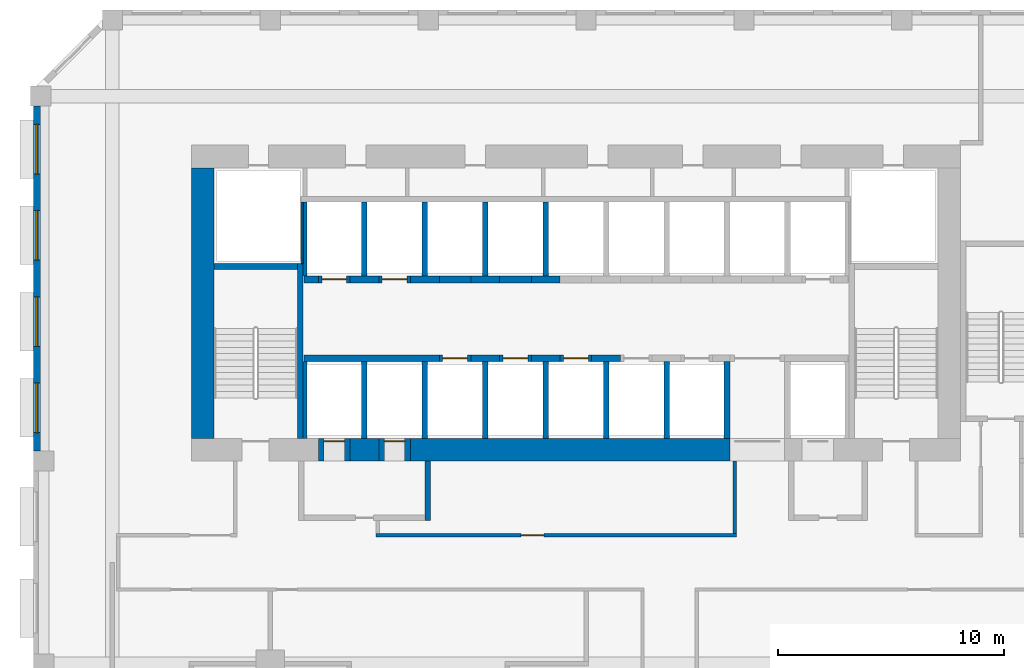
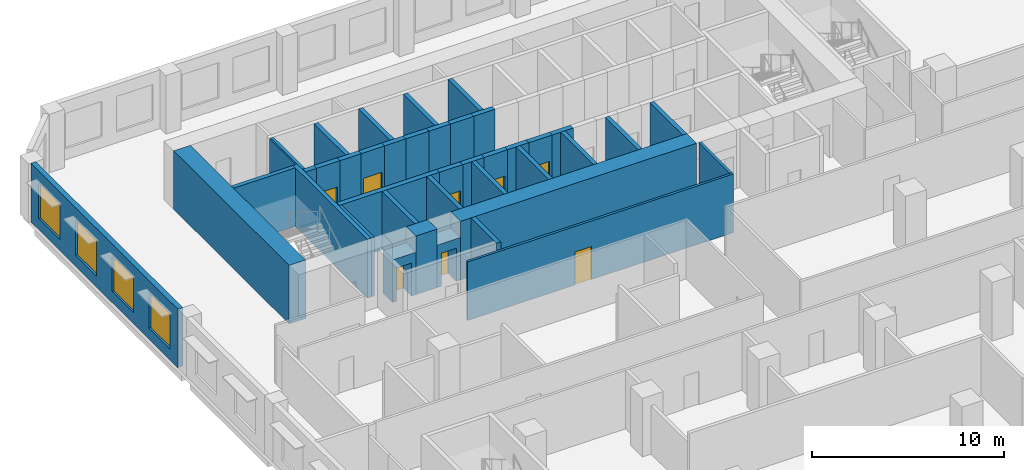
# One storey, part 13 of 27: 41 walls, 8 doors, 4 windows, 12 openings.
"""IFC4 building model written with IfcOpenShell, lengths in metres."""

import ifcopenshell
import ifcopenshell.guid

model = None  # the IFC model being written
_history = None  # IfcOwnerHistory: only IFC2X3 demands one
_inside = {}  # id of a spatial element -> (the spatial element, [elements in it])
_under = {}  # id of a project, library or spatial element -> (it, [spatial elements below it])
_declared = {}  # id of a project -> (the project, [libraries it declares])
_typed = {}  # id of a type object -> (the type object, [elements of that type])
_made_of = {}  # id of a material, layer set ... -> (it, [elements and type objects made of it])


def new_model(schema):
    """Start an empty IFC model of exactly this schema.

    Asked for "IFC4X3", IfcOpenShell would pick the latest addendum, in which some entities
    have other attributes; the version numbers below select the first issue.
    IFC2X3 requires an IfcOwnerHistory on every rooted entity: one is made here for all.
    """
    global model, _history
    if schema == "IFC4X3":
        model = ifcopenshell.file(schema_version=(4, 3, 0, 0))
    else:
        model = ifcopenshell.file(schema=schema)
    _inside.clear()
    _under.clear()
    _declared.clear()
    _typed.clear()
    _made_of.clear()
    _history = None
    if model.schema == "IFC2X3":
        org = make("IfcOrganization", Name="unknown")
        user = make(
            "IfcPersonAndOrganization",
            ThePerson=make("IfcPerson", FamilyName="unknown"),
            TheOrganization=org,
        )
        app = make(
            "IfcApplication",
            ApplicationDeveloper=org,
            Version="unknown",
            ApplicationFullName="unknown",
            ApplicationIdentifier="unknown",
        )
        _history = make(
            "IfcOwnerHistory",
            OwningUser=user,
            OwningApplication=app,
            ChangeAction="ADDED",
            CreationDate=0,
        )
    return model


def make(cls, **values):
    """One entity of the class cls with the attributes given. An attribute that is None is left unset."""
    return model.create_entity(
        cls, **{name: value for name, value in values.items() if value is not None}
    )


def rooted(cls, **values):
    """An entity with a GlobalId (a new one), such as an element, a storey or a relation."""
    return make(cls, GlobalId=ifcopenshell.guid.new(), OwnerHistory=_history, **values)


def si_unit(unit_type, name, prefix=None):
    """IfcSIUnit, for example si_unit("LENGTHUNIT", "METRE", prefix="MILLI")."""
    return make("IfcSIUnit", UnitType=unit_type, Prefix=prefix, Name=name)


def assignment(units):
    """IfcUnitAssignment: the units of a project."""
    return None if units is None else make("IfcUnitAssignment", Units=units)


def point(xyz):
    """IfcCartesianPoint."""
    return None if xyz is None else make("IfcCartesianPoint", Coordinates=xyz)


def direction(xyz):
    """IfcDirection."""
    return None if xyz is None else make("IfcDirection", DirectionRatios=xyz)


def frame(location, z_axis=None, x_axis=None):
    """IfcAxis2Placement3D, a coordinate frame: its origin and axes. An axis left out is left unset."""
    return make(
        "IfcAxis2Placement3D",
        Location=point(location),
        Axis=direction(z_axis),
        RefDirection=direction(x_axis),
    )


def frame_2d(location, x_axis=None):
    """IfcAxis2Placement2D, a coordinate frame in the plane: its origin and x axis."""
    return make(
        "IfcAxis2Placement2D", Location=point(location), RefDirection=direction(x_axis)
    )


def origin():
    """The frame at (0, 0, 0) with its axes left unset."""
    return frame((0.0, 0.0, 0.0))


def place(relative_to, where):
    """IfcLocalPlacement: puts the frame where relative to a parent placement (None: the world)."""
    return make(
        "IfcLocalPlacement", PlacementRelTo=relative_to, RelativePlacement=where
    )


def context(
    kind, dimensions, precision=None, world=None, true_north=None, identifier=None
):
    """IfcGeometricRepresentationContext, for example the 3D "Model" context."""
    return make(
        "IfcGeometricRepresentationContext",
        ContextIdentifier=identifier,
        ContextType=kind,
        CoordinateSpaceDimension=dimensions,
        Precision=precision,
        WorldCoordinateSystem=world,
        TrueNorth=true_north,
    )


def subcontext(parent, identifier, kind, view, scale=None):
    """IfcGeometricRepresentationSubContext, for example "Body" below "Model"."""
    return make(
        "IfcGeometricRepresentationSubContext",
        ContextIdentifier=identifier,
        ContextType=kind,
        ParentContext=parent,
        TargetScale=scale,
        TargetView=view,
    )


def project(units=None, contexts=None):
    """IfcProject with its units and contexts."""
    return rooted(
        "IfcProject",
        Name="project",
        RepresentationContexts=contexts,
        UnitsInContext=assignment(units),
    )


def spatial(cls, under=None, at=None, **own):
    """A site, building, storey or space (cls), placed at a placement, below another one or the project."""
    s = rooted(cls, ObjectPlacement=at, **own)
    if under is not None:
        _under.setdefault(under.id(), (under, []))[1].append(s)
    return s


def profile(cls, at=None, kind="AREA", **sizes):
    """A parametric profile (cls). Its sizes go by their IFC names, for example OverallWidth=200.0."""
    return make(cls, ProfileType=kind, Position=at, **sizes)


def rectangle(**sizes):
    """IfcRectangleProfileDef."""
    return profile("IfcRectangleProfileDef", **sizes)


def extrude(swept, where, along, depth):
    """IfcExtrudedAreaSolid: the profile swept, set in the frame where, extruded along a direction by depth."""
    return make(
        "IfcExtrudedAreaSolid",
        SweptArea=swept,
        Position=where,
        ExtrudedDirection=direction(along),
        Depth=depth,
    )


def shape(context_of_items, identifier, shape_type, items):
    """IfcShapeRepresentation: the items that make up one representation, for example the "Body"."""
    return make(
        "IfcShapeRepresentation",
        ContextOfItems=context_of_items,
        RepresentationIdentifier=identifier,
        RepresentationType=shape_type,
        Items=items,
    )


def source(mapping_origin, context_of_items, identifier, shape_type, items):
    """IfcRepresentationMap: a shape defined once, which mapped items show again and again."""
    return make(
        "IfcRepresentationMap",
        MappingOrigin=mapping_origin,
        MappedRepresentation=shape(context_of_items, identifier, shape_type, items),
    )


def transform(
    local_origin,
    x_axis=None,
    y_axis=None,
    z_axis=None,
    scale=None,
    scale2=None,
    scale3=None,
    uniform=True,
):
    """IfcCartesianTransformationOperator3D, or its non-uniform kind. x_axis, y_axis, z_axis: its Axis1, 2, 3."""
    if uniform:
        return make(
            "IfcCartesianTransformationOperator3D",
            Axis1=direction(x_axis),
            Axis2=direction(y_axis),
            LocalOrigin=point(local_origin),
            Scale=scale,
            Axis3=direction(z_axis),
        )
    return make(
        "IfcCartesianTransformationOperator3DnonUniform",
        Axis1=direction(x_axis),
        Axis2=direction(y_axis),
        LocalOrigin=point(local_origin),
        Scale=scale,
        Axis3=direction(z_axis),
        Scale2=scale2,
        Scale3=scale3,
    )


def mapped(mapping_source, mapping_target):
    """IfcMappedItem: shows the shape of a source again, moved by a transform."""
    return make(
        "IfcMappedItem", MappingSource=mapping_source, MappingTarget=mapping_target
    )


def material(Name=None, Category=None):
    """IfcMaterial."""
    return make("IfcMaterial", Name=Name, Category=Category)


def layer(
    of_material, thickness, ventilated=None, Name=None, Category=None, Priority=None
):
    """IfcMaterialLayer: one layer of a wall or slab, of a material (None: an air gap)."""
    return make(
        "IfcMaterialLayer",
        Material=of_material,
        LayerThickness=thickness,
        IsVentilated=ventilated,
        Name=Name,
        Category=Category,
        Priority=Priority,
    )


def layer_set(layers, Name=None):
    """IfcMaterialLayerSet."""
    return make("IfcMaterialLayerSet", MaterialLayers=layers, LayerSetName=Name)


def made_of(thing, what):
    """Note that an element or type object is made of a material, layer set ...; save() writes the relation."""
    if what is not None:
        _made_of.setdefault(what.id(), (what, []))[1].append(thing)
    return thing


def type_object(cls, material=None, **own):
    """A type object (cls), such as IfcWallType, which elements share."""
    return made_of(rooted(cls, **own), material)


def element(
    cls,
    number,
    at=None,
    inside=None,
    cuts=None,
    type_object=None,
    material=None,
    context=None,
    identifier="Body",
    shape_type=None,
    held_by="IfcProductDefinitionShape",
    body=None,
    shapes=None,
    **own,
):
    """One element of the class cls, such as IfcWall. Its Tag is "e" and its number.

    at: its placement. inside: the storey or other place that contains it. cuts: it is an
    opening in that element (IfcRelVoidsElement). A single representation is given by context,
    identifier, shape_type and body (its items); several are given by shapes. held_by: the class
    of the entity that holds the representations. save() writes the other relations.
    """
    e = rooted(cls, Tag="e%d" % number, ObjectPlacement=at, **own)
    if body is not None:
        shapes = [shape(context, identifier, shape_type, body)]
    if shapes is not None:
        e.Representation = make(held_by, Representations=shapes)
    if inside is not None:
        _inside.setdefault(inside.id(), (inside, []))[1].append(e)
    if cuts is not None:
        rooted(
            "IfcRelVoidsElement", RelatingBuildingElement=cuts, RelatedOpeningElement=e
        )
    if type_object is not None:
        _typed.setdefault(type_object.id(), (type_object, []))[1].append(e)
    return made_of(e, material)


def fill(opening, filler):
    """IfcRelFillsElement: the door or window that sits in an opening."""
    return rooted(
        "IfcRelFillsElement",
        RelatingOpeningElement=opening,
        RelatedBuildingElement=filler,
    )


def aggregate(whole, parts):
    """IfcRelAggregates: a whole, such as a stair, and the parts it consists of."""
    return rooted("IfcRelAggregates", RelatingObject=whole, RelatedObjects=parts)


def save(model, path):
    """Write the relations noted so far, then the file.

    IfcRelAggregates (storeys below a building ...), IfcRelContainedInSpatialStructure (elements
    in a storey), IfcRelDefinesByType, IfcRelAssociatesMaterial and IfcRelDeclares: one each for
    every whole, place, type object, material and project.
    """
    for whole, parts in _under.values():
        aggregate(whole, parts)
    for where, things in _inside.values():
        rooted(
            "IfcRelContainedInSpatialStructure",
            RelatedElements=things,
            RelatingStructure=where,
        )
    for kind, things in _typed.values():
        rooted("IfcRelDefinesByType", RelatedObjects=things, RelatingType=kind)
    for what, things in _made_of.values():
        rooted("IfcRelAssociatesMaterial", RelatedObjects=things, RelatingMaterial=what)
    for by, libraries in _declared.values():
        rooted("IfcRelDeclares", RelatingContext=by, RelatedDefinitions=libraries)
    model.write(path)


model = new_model("IFC4")

# Units and contexts
model_context = context("Model", 3, precision=1e-05, world=origin(), true_north=direction((0.0, 1.0)))
body_context = subcontext(model_context, "Body", "Model", "MODEL_VIEW")
ifc_project = project(units=[si_unit("LENGTHUNIT", "METRE"), si_unit("AREAUNIT", "SQUARE_METRE"), si_unit("VOLUMEUNIT", "CUBIC_METRE"), si_unit("PLANEANGLEUNIT", "RADIAN"), si_unit("MASSUNIT", "GRAM", prefix="KILO")], contexts=[model_context])

# Site, building, storey
site_placement = place(None, origin())
site = spatial("IfcSite", under=ifc_project, at=site_placement, CompositionType="ELEMENT")
building_placement = place(site_placement, origin())
building = spatial("IfcBuilding", under=site, at=building_placement, Name="Kilnfold Tower and Market Hall", CompositionType="ELEMENT")
storey_placement = place(building_placement, frame((0.0, 0.0, 71.199951171875)))
storey = spatial("IfcBuildingStorey", under=building, at=storey_placement, Name="L16", CompositionType="ELEMENT", Elevation=71.199951171875)

# Wall, opening, door
ifc_material_1 = material(Name="Gypsum board on steel studs", Category="steel")
ifc_layer_1 = layer(ifc_material_1, 0.14990234375)
ifc_layer_set_1 = layer_set([ifc_layer_1], Name="Gypsum board on steel studs")
wall_type_1 = type_object("IfcWallType", Name="WALL CORRIDOR 150", PredefinedType="PARTITIONING", material=ifc_layer_set_1)
wall_1_placement = place(storey_placement, frame((-7.804931640625, 4.699951171875, 0.0), z_axis=(0.0, 0.0, 1.0), x_axis=(1.0, 0.0, 0.0)))
wall_1 = element("IfcWall", 1, at=wall_1_placement, inside=storey, type_object=wall_type_1, Name="Partition LY12.15", PredefinedType="PARTITIONING", context=body_context, shape_type="SweptSolid", body=[
    extrude(rectangle(XDim=15.969970703125, YDim=0.14990234375, at=frame_2d((7.98486328125, 0.0))), origin(), (0.0, 0.0, 1.0), 3.719970703125),
])
opening_1_placement = place(wall_1_placement, frame((6.429931640625, 0.0, 0.0)))
opening_1 = element("IfcOpeningElement", 2, at=opening_1_placement, cuts=wall_1, Name="Opening D1", PredefinedType="OPENING", context=body_context, shape_type="SweptSolid", body=[
    extrude(rectangle(XDim=1.0, YDim=2.10009765625, at=frame_2d((0.5, 1.050048828125))), frame((0.0, 0.0849609375, 0.0), z_axis=(0.0, -1.0, 0.0), x_axis=(1.0, 0.0, 0.0)), (0.0, 0.0, 1.0), 0.169921875),
])
ifc_material_2 = material(Name="Timber veneer door leaf in steel frame", Category="steel")
door_type_1 = type_object("IfcDoorType", Name="DOOR ENTRY 1000 X2100", OperationType="NOTDEFINED", PredefinedType="DOOR", material=ifc_material_2)
door_1_placement = place(opening_1_placement, origin())
door_1 = element("IfcDoor", 3, at=door_1_placement, inside=storey, type_object=door_type_1, Name="Door D1", OperationType="SINGLE_SWING_RIGHT", OverallHeight=2.10009765625, OverallWidth=1.0, PredefinedType="DOOR", context=body_context, shape_type="SweptSolid", body=[
    extrude(rectangle(XDim=1.0, YDim=2.10009765625, at=frame_2d((0.5, 1.050048828125))), frame((0.0, 0.02490234375, 0.0), z_axis=(0.0, -1.0, 0.0), x_axis=(1.0, 0.0, 0.0)), (0.0, 0.0, 1.0), 0.050048828125),
])
fill(opening_1, door_1)

# Walls
wall_2_placement = place(storey_placement, frame((8.090087890625, 8.0, 0.0), z_axis=(0.0, 0.0, 1.0), x_axis=(0.0, -1.0, 0.0)))
element("IfcWall", 4, at=wall_2_placement, inside=storey, type_object=wall_type_1, Name="Partition LY12.16", PredefinedType="PARTITIONING", context=body_context, shape_type="SweptSolid", body=[
    extrude(rectangle(XDim=3.22509765625, YDim=0.14990234375, at=frame_2d((1.612548828125, 0.0))), origin(), (0.0, 0.0, 1.0), 3.719970703125),
])
ifc_material_3 = material(Name="Concrete C80", Category="concrete")
ifc_layer_2 = layer(ifc_material_3, 1.0)
ifc_layer_set_2 = layer_set([ifc_layer_2], Name="Concrete C80")
wall_type_2 = type_object("IfcWallType", Name="CORE WALL 1000 C80", PredefinedType="SHEAR", material=ifc_layer_set_2)
shared_shape_1 = source(origin(), body_context, "Body", "SweptSolid", [
    extrude(rectangle(XDim=1.280029296875, YDim=1.0, at=frame_2d((0.64013671875, 0.0))), origin(), (0.0, 0.0, 1.0), 3.719970703125),
])
wall_3_placement = place(storey_placement, frame((-8.969970703125, 8.5, 0.0), z_axis=(0.0, 0.0, 1.0), x_axis=(1.0, 0.0, 0.0)))
element("IfcWall", 5, at=wall_3_placement, inside=storey, type_object=wall_type_2, Name="Core outer wall south", PredefinedType="SHEAR", context=body_context, shape_type="MappedRepresentation", body=[
    mapped(shared_shape_1, transform((0.0, 0.0, 0.0))),
])
shared_shape_2 = source(origin(), body_context, "Body", "SweptSolid", [
    extrude(rectangle(XDim=14.179931640625, YDim=1.0, at=frame_2d((7.08984375, 0.0))), origin(), (0.0, 0.0, 1.0), 3.719970703125),
])
wall_4_placement = place(storey_placement, frame((-6.2900390625, 8.5, 0.0), z_axis=(0.0, 0.0, 1.0), x_axis=(1.0, 0.0, 0.0)))
element("IfcWall", 6, at=wall_4_placement, inside=storey, type_object=wall_type_2, Name="Core outer wall south", PredefinedType="SHEAR", context=body_context, shape_type="MappedRepresentation", body=[
    mapped(shared_shape_2, transform((0.0, 0.0, 0.0))),
])
shared_shape_3 = source(origin(), body_context, "Body", "SweptSolid", [
    extrude(rectangle(XDim=12.0, YDim=1.0, at=frame_2d((6.0, 0.0))), origin(), (0.0, 0.0, 1.0), 3.719970703125),
])
wall_5_placement = place(storey_placement, frame((-15.5, 9.0, 0.0), z_axis=(0.0, 0.0, 1.0), x_axis=(0.0, 1.0, 0.0)))
element("IfcWall", 7, at=wall_5_placement, inside=storey, type_object=wall_type_2, Name="Core outer wall west", PredefinedType="SHEAR", context=body_context, shape_type="MappedRepresentation", body=[
    mapped(shared_shape_3, transform((0.0, 0.0, 0.0))),
])
ifc_material_4 = material(Name="Concrete C80", Category="concrete")
ifc_layer_3 = layer(ifc_material_4, 0.25)
ifc_layer_set_3 = layer_set([ifc_layer_3], Name="Concrete C80")
wall_type_3 = type_object("IfcWallType", Name="CORE WALL 250 C80", PredefinedType="SHEAR", material=ifc_layer_set_3)
shared_shape_4 = source(origin(), body_context, "Body", "SweptSolid", [
    extrude(rectangle(XDim=7.75, YDim=0.25, at=frame_2d((3.875, 0.0))), origin(), (0.0, 0.0, 1.0), 3.719970703125),
])
wall_6_placement = place(storey_placement, frame((-11.175048828125, 9.0, 0.0), z_axis=(0.0, 0.0, 1.0), x_axis=(0.0, 1.0, 0.0)))
element("IfcWall", 8, at=wall_6_placement, inside=storey, type_object=wall_type_3, Name="Stair enclosure ST1", PredefinedType="SHEAR", context=body_context, shape_type="MappedRepresentation", body=[
    mapped(shared_shape_4, transform((0.0, 0.0, 0.0))),
])
shared_shape_5 = source(origin(), body_context, "Body", "SweptSolid", [
    extrude(rectangle(XDim=3.699951171875, YDim=0.25, at=frame_2d((1.85009765625, 0.0))), origin(), (0.0, 0.0, 1.0), 3.719970703125),
])
wall_7_placement = place(storey_placement, frame((-15.0, 16.625, 0.0), z_axis=(0.0, 0.0, 1.0), x_axis=(1.0, 0.0, 0.0)))
element("IfcWall", 9, at=wall_7_placement, inside=storey, type_object=wall_type_3, Name="Stair enclosure ST1", PredefinedType="SHEAR", context=body_context, shape_type="MappedRepresentation", body=[
    mapped(shared_shape_5, transform((0.0, 0.0, 0.0))),
])
ifc_material_5 = material(Name="Concrete C80", Category="concrete")
ifc_layer_4 = layer(ifc_material_5, 0.300048828125)
ifc_layer_set_4 = layer_set([ifc_layer_4], Name="Concrete C80")
wall_type_4 = type_object("IfcWallType", Name="CORE WALL 300 C80", PredefinedType="SHEAR", material=ifc_layer_set_4)
shared_shape_6 = source(origin(), body_context, "Body", "SweptSolid", [
    extrude(rectangle(XDim=6.0, YDim=0.300048828125, at=frame_2d((3.0, 0.0))), origin(), (0.0, 0.0, 1.0), 3.719970703125),
])
wall_8_placement = place(storey_placement, frame((-11.010009765625, 12.550048828125, 0.0), z_axis=(0.0, 0.0, 1.0), x_axis=(1.0, 0.0, 0.0)))
element("IfcWall", 10, at=wall_8_placement, inside=storey, type_object=wall_type_4, Name="Core spine wall", PredefinedType="SHEAR", context=body_context, shape_type="MappedRepresentation", body=[
    mapped(shared_shape_6, transform((0.0, 0.0, 0.0))),
])
shared_shape_7 = source(origin(), body_context, "Body", "SweptSolid", [
    extrude(rectangle(XDim=1.280029296875, YDim=0.300048828125, at=frame_2d((0.64013671875, 0.0))), origin(), (0.0, 0.0, 1.0), 3.719970703125),
])
for number, where, z_axis, x_axis, name in (
    (11, (-3.610107421875, 12.550048828125, 0.0), (0.0, 0.0, 1.0), (1.0, 0.0, 0.0), "Core spine wall"),
    (12, (-0.929931640625, 12.550048828125, 0.0), (0.0, 0.0, 1.0), (1.0, 0.0, 0.0), "Core spine wall"),
    (13, (1.75, 12.550048828125, 0.0), (0.0, 0.0, 1.0), (1.0, 0.0, 0.0), "Core spine wall"),
    (14, (-8.969970703125, 16.050048828125, 0.0), (0.0, 0.0, 1.0), (1.0, 0.0, 0.0), "Core spine wall"),
    (15, (-6.2900390625, 16.050048828125, 0.0), (0.0, 0.0, 1.0), (1.0, 0.0, 0.0), "Core spine wall"),
    (16, (-3.610107421875, 16.050048828125, 0.0), (0.0, 0.0, 1.0), (1.0, 0.0, 0.0), "Core spine wall"),
    (17, (-0.929931640625, 16.050048828125, 0.0), (0.0, 0.0, 1.0), (1.0, 0.0, 0.0), "Core spine wall"),
):
    element("IfcWall", number, at=place(storey_placement, frame(where, z_axis=z_axis, x_axis=x_axis)), inside=storey, type_object=wall_type_4, Name=name, PredefinedType="SHEAR", context=body_context, shape_type="MappedRepresentation", body=[
        mapped(shared_shape_7, transform((0.0, 0.0, 0.0))),
    ])
shared_shape_8 = source(origin(), body_context, "Body", "SweptSolid", [
    extrude(rectangle(XDim=0.639892578125, YDim=0.300048828125, at=frame_2d((0.31982421875, 0.0))), origin(), (0.0, 0.0, 1.0), 3.719970703125),
])
wall_9_placement = place(storey_placement, frame((-11.010009765625, 16.050048828125, 0.0), z_axis=(0.0, 0.0, 1.0), x_axis=(1.0, 0.0, 0.0)))
element("IfcWall", 18, at=wall_9_placement, inside=storey, type_object=wall_type_4, Name="Core spine wall", PredefinedType="SHEAR", context=body_context, shape_type="MappedRepresentation", body=[
    mapped(shared_shape_8, transform((0.0, 0.0, 0.0))),
])

# Wall, openings, windows
ifc_material_6 = material(Name="Precast concrete C50/60", Category="concrete")
ifc_layer_5 = layer(ifc_material_6, 0.300048828125)
ifc_layer_set_5 = layer_set([ifc_layer_5], Name="Precast concrete C50/60")
wall_type_5 = type_object("IfcWallType", Name="PRECAST WALL 300", PredefinedType="SOLIDWALL", material=ifc_layer_set_5)
shared_shape_9 = source(origin(), body_context, "Body", "SweptSolid", [
    extrude(rectangle(XDim=15.28173828125, YDim=0.300048828125, at=frame_2d((7.640869140625, 0.0))), origin(), (0.0, 0.0, 1.0), 3.719970703125),
])
wall_10_placement = place(storey_placement, frame((-22.85009765625, 23.731689453125, 0.0), z_axis=(0.0, 0.0, 1.0), x_axis=(0.0, -1.0, 0.0)))
wall_10 = element("IfcWall", 19, at=wall_10_placement, inside=storey, type_object=wall_type_5, Name="External wall L16 W", PredefinedType="SOLIDWALL", context=body_context, shape_type="MappedRepresentation", body=[
    mapped(shared_shape_9, transform((0.0, 0.0, 0.0))),
])
opening_2_placement = place(wall_10_placement, frame((0.810302734375, 0.0, 0.699951171875)))
opening_2 = element("IfcOpeningElement", 20, at=opening_2_placement, cuts=wall_10, Name="Opening W1", PredefinedType="OPENING", context=body_context, shape_type="SweptSolid", body=[
    extrude(rectangle(XDim=2.199951171875, YDim=2.25, at=frame_2d((1.10009765625, 1.125))), frame((0.0, 0.16015625, 0.0), z_axis=(0.0, -1.0, 0.0), x_axis=(1.0, 0.0, 0.0)), (0.0, 0.0, 1.0), 0.320068359375),
])
opening_3_placement = place(wall_10_placement, frame((4.630615234375, 0.0, 0.699951171875)))
opening_3 = element("IfcOpeningElement", 21, at=opening_3_placement, cuts=wall_10, Name="Opening W1", PredefinedType="OPENING", context=body_context, shape_type="SweptSolid", body=[
    extrude(rectangle(XDim=2.199951171875, YDim=2.25, at=frame_2d((1.10009765625, 1.125))), frame((0.0, 0.16015625, 0.0), z_axis=(0.0, -1.0, 0.0), x_axis=(1.0, 0.0, 0.0)), (0.0, 0.0, 1.0), 0.320068359375),
])
opening_4_placement = place(wall_10_placement, frame((8.451171875, 0.0, 0.699951171875)))
opening_4 = element("IfcOpeningElement", 22, at=opening_4_placement, cuts=wall_10, Name="Opening W1", PredefinedType="OPENING", context=body_context, shape_type="SweptSolid", body=[
    extrude(rectangle(XDim=2.199951171875, YDim=2.25, at=frame_2d((1.10009765625, 1.125))), frame((0.0, 0.16015625, 0.0), z_axis=(0.0, -1.0, 0.0), x_axis=(1.0, 0.0, 0.0)), (0.0, 0.0, 1.0), 0.320068359375),
])
opening_5_placement = place(wall_10_placement, frame((12.271484375, 0.0, 0.699951171875)))
opening_5 = element("IfcOpeningElement", 23, at=opening_5_placement, cuts=wall_10, Name="Opening W1", PredefinedType="OPENING", context=body_context, shape_type="SweptSolid", body=[
    extrude(rectangle(XDim=2.199951171875, YDim=2.25, at=frame_2d((1.10009765625, 1.125))), frame((0.0, 0.16015625, 0.0), z_axis=(0.0, -1.0, 0.0), x_axis=(1.0, 0.0, 0.0)), (0.0, 0.0, 1.0), 0.320068359375),
])
ifc_material_7 = material(Name="Aluminium frame and double glazing", Category="aluminium")
window_type = type_object("IfcWindowType", Name="WINDOW W1 2200X2250", PartitioningType="SINGLE_PANEL", PredefinedType="WINDOW", material=ifc_material_7)
window_1_placement = place(opening_2_placement, origin())
window_1 = element("IfcWindow", 24, at=window_1_placement, inside=storey, type_object=window_type, Name="Window W1 L16 W-1", OverallHeight=2.25, OverallWidth=2.199951171875, PartitioningType="SINGLE_PANEL", PredefinedType="WINDOW", context=body_context, shape_type="SweptSolid", body=[
    extrude(rectangle(XDim=2.199951171875, YDim=2.25, at=frame_2d((1.10009765625, 1.125))), frame((0.0, 0.030029296875, 0.0), z_axis=(0.0, -1.0, 0.0), x_axis=(1.0, 0.0, 0.0)), (0.0, 0.0, 1.0), 0.06005859375),
])
fill(opening_2, window_1)
window_2_placement = place(opening_3_placement, origin())
window_2 = element("IfcWindow", 25, at=window_2_placement, inside=storey, type_object=window_type, Name="Window W1 L16 W-2", OverallHeight=2.25, OverallWidth=2.199951171875, PartitioningType="SINGLE_PANEL", PredefinedType="WINDOW", context=body_context, shape_type="SweptSolid", body=[
    extrude(rectangle(XDim=2.199951171875, YDim=2.25, at=frame_2d((1.10009765625, 1.125))), frame((0.0, 0.030029296875, 0.0), z_axis=(0.0, -1.0, 0.0), x_axis=(1.0, 0.0, 0.0)), (0.0, 0.0, 1.0), 0.06005859375),
])
fill(opening_3, window_2)
window_3_placement = place(opening_4_placement, origin())
window_3 = element("IfcWindow", 26, at=window_3_placement, inside=storey, type_object=window_type, Name="Window W1 L16 W-3", OverallHeight=2.25, OverallWidth=2.199951171875, PartitioningType="SINGLE_PANEL", PredefinedType="WINDOW", context=body_context, shape_type="SweptSolid", body=[
    extrude(rectangle(XDim=2.199951171875, YDim=2.25, at=frame_2d((1.10009765625, 1.125))), frame((0.0, 0.030029296875, 0.0), z_axis=(0.0, -1.0, 0.0), x_axis=(1.0, 0.0, 0.0)), (0.0, 0.0, 1.0), 0.06005859375),
])
fill(opening_4, window_3)
window_4_placement = place(opening_5_placement, origin())
window_4 = element("IfcWindow", 27, at=window_4_placement, inside=storey, type_object=window_type, Name="Window W1 L16 W-4", OverallHeight=2.25, OverallWidth=2.199951171875, PartitioningType="SINGLE_PANEL", PredefinedType="WINDOW", context=body_context, shape_type="SweptSolid", body=[
    extrude(rectangle(XDim=2.199951171875, YDim=2.25, at=frame_2d((1.10009765625, 1.125))), frame((0.0, 0.030029296875, 0.0), z_axis=(0.0, -1.0, 0.0), x_axis=(1.0, 0.0, 0.0)), (0.0, 0.0, 1.0), 0.06005859375),
])
fill(opening_5, window_4)

# Wall, opening, door
ifc_material_8 = material(Name="Gypsum shaft wall system")
ifc_layer_6 = layer(ifc_material_8, 1.0)
ifc_layer_set_6 = layer_set([ifc_layer_6], Name="Gypsum shaft wall system")
wall_type_6 = type_object("IfcWallType", Name="LOBBY WALL 1000", PredefinedType="PARTITIONING", material=ifc_layer_set_6)
shared_shape_10 = source(origin(), body_context, "Body", "SweptSolid", [
    extrude(rectangle(XDim=1.400146484375, YDim=1.0, at=frame_2d((0.7001953125, 0.0))), origin(), (0.0, 0.0, 1.0), 2.699951171875),
])
wall_11_placement = place(storey_placement, frame((-10.3701171875, 8.5, 0.0), z_axis=(0.0, 0.0, 1.0), x_axis=(1.0, 0.0, 0.0)))
wall_11 = element("IfcWall", 28, at=wall_11_placement, inside=storey, type_object=wall_type_6, Name="Core wall infill", PredefinedType="PARTITIONING", context=body_context, shape_type="MappedRepresentation", body=[
    mapped(shared_shape_10, transform((0.0, 0.0, 0.0))),
])
opening_6_placement = place(wall_11_placement, frame((0.25, 0.0, 0.0)))
opening_6 = element("IfcOpeningElement", 29, at=opening_6_placement, cuts=wall_11, Name="Opening LD1", PredefinedType="OPENING", context=body_context, shape_type="SweptSolid", body=[
    extrude(rectangle(XDim=0.89990234375, YDim=2.10009765625, at=frame_2d((0.449951171875, 1.050048828125))), frame((0.0, 0.510009765625, 0.0), z_axis=(0.0, -1.0, 0.0), x_axis=(1.0, 0.0, 0.0)), (0.0, 0.0, 1.0), 1.02001953125),
])
ifc_material_9 = material(Name="Steel door set with fire-resisting leaf", Category="steel")
door_type_2 = type_object("IfcDoorType", Name="FIREFIGHTING LANDING DOOR 900X2100", OperationType="NOTDEFINED", PredefinedType="DOOR", material=ifc_material_9)
door_2_placement = place(opening_6_placement, origin())
door_2 = element("IfcDoor", 30, at=door_2_placement, inside=storey, type_object=door_type_2, Name="Landing door FF1", OperationType="SLIDING_TO_LEFT", OverallHeight=2.10009765625, OverallWidth=0.89990234375, PredefinedType="DOOR", context=body_context, shape_type="SweptSolid", body=[
    extrude(rectangle(XDim=0.89990234375, YDim=2.10009765625, at=frame_2d((0.449951171875, 1.050048828125))), frame((0.0, 0.40478515625, 0.0), z_axis=(0.0, -1.0, 0.0), x_axis=(1.0, 0.0, 0.0)), (0.0, 0.0, 1.0), 0.050048828125),
])
fill(opening_6, door_2)

shared_shape_11 = source(origin(), body_context, "Body", "SweptSolid", [
    extrude(rectangle(XDim=1.39990234375, YDim=1.0, at=frame_2d((0.699951171875, 0.0))), origin(), (0.0, 0.0, 1.0), 2.699951171875),
])
wall_12_placement = place(storey_placement, frame((-7.68994140625, 8.5, 0.0), z_axis=(0.0, 0.0, 1.0), x_axis=(1.0, 0.0, 0.0)))
wall_12 = element("IfcWall", 31, at=wall_12_placement, inside=storey, type_object=wall_type_6, Name="Core wall infill", PredefinedType="PARTITIONING", context=body_context, shape_type="MappedRepresentation", body=[
    mapped(shared_shape_11, transform((0.0, 0.0, 0.0))),
])
opening_7_placement = place(wall_12_placement, frame((0.25, 0.0, 0.0)))
opening_7 = element("IfcOpeningElement", 32, at=opening_7_placement, cuts=wall_12, Name="Opening LD1", PredefinedType="OPENING", context=body_context, shape_type="SweptSolid", body=[
    extrude(rectangle(XDim=0.89990234375, YDim=2.10009765625, at=frame_2d((0.449951171875, 1.050048828125))), frame((0.0, 0.510009765625, 0.0), z_axis=(0.0, -1.0, 0.0), x_axis=(1.0, 0.0, 0.0)), (0.0, 0.0, 1.0), 1.02001953125),
])
door_3_placement = place(opening_7_placement, origin())
door_3 = element("IfcDoor", 33, at=door_3_placement, inside=storey, type_object=door_type_2, Name="Landing door FF2", OperationType="SLIDING_TO_RIGHT", OverallHeight=2.10009765625, OverallWidth=0.89990234375, PredefinedType="DOOR", context=body_context, shape_type="SweptSolid", body=[
    extrude(rectangle(XDim=0.89990234375, YDim=2.10009765625, at=frame_2d((0.449951171875, 1.050048828125))), frame((0.0, 0.40478515625, 0.0), z_axis=(0.0, -1.0, 0.0), x_axis=(1.0, 0.0, 0.0)), (0.0, 0.0, 1.0), 0.050048828125),
])
fill(opening_7, door_3)

ifc_material_10 = material(Name="Gypsum shaft wall system")
ifc_layer_7 = layer(ifc_material_10, 0.300048828125)
ifc_layer_set_7 = layer_set([ifc_layer_7], Name="Gypsum shaft wall system")
wall_type_7 = type_object("IfcWallType", Name="SHAFT WALL 300", PredefinedType="PARTITIONING", material=ifc_layer_set_7)
shared_shape_12 = source(origin(), body_context, "Body", "SweptSolid", [
    extrude(rectangle(XDim=1.39990234375, YDim=0.300048828125, at=frame_2d((0.699951171875, 0.0))), origin(), (0.0, 0.0, 1.0), 3.719970703125),
])
wall_13_placement = place(storey_placement, frame((-5.010009765625, 12.550048828125, 0.0), z_axis=(0.0, 0.0, 1.0), x_axis=(1.0, 0.0, 0.0)))
wall_13 = element("IfcWall", 34, at=wall_13_placement, inside=storey, type_object=wall_type_7, Name="Lift shaft front wall", PredefinedType="PARTITIONING", context=body_context, shape_type="MappedRepresentation", body=[
    mapped(shared_shape_12, transform((0.0, 0.0, 0.0))),
])
opening_8_placement = place(wall_13_placement, frame((0.14990234375, 0.0, 0.0)))
opening_8 = element("IfcOpeningElement", 35, at=opening_8_placement, cuts=wall_13, Name="Opening LD2", PredefinedType="OPENING", context=body_context, shape_type="SweptSolid", body=[
    extrude(rectangle(XDim=1.10009765625, YDim=2.10009765625, at=frame_2d((0.550048828125, 1.050048828125))), frame((0.0, 0.16015625, 0.0), z_axis=(0.0, -1.0, 0.0), x_axis=(1.0, 0.0, 0.0)), (0.0, 0.0, 1.0), 0.320068359375),
])
ifc_material_11 = material(Name="Steel door set with fire-resisting leaf", Category="steel")
door_type_3 = type_object("IfcDoorType", Name="LANDING DOOR 1100X2100", OperationType="NOTDEFINED", PredefinedType="DOOR", material=ifc_material_11)
door_4_placement = place(opening_8_placement, origin())
door_4 = element("IfcDoor", 36, at=door_4_placement, inside=storey, type_object=door_type_3, Name="Landing door LR1", OperationType="DOUBLE_DOOR_SLIDING", OverallHeight=2.10009765625, OverallWidth=1.10009765625, PredefinedType="DOOR", context=body_context, shape_type="SweptSolid", body=[
    extrude(rectangle(XDim=1.10009765625, YDim=2.10009765625, at=frame_2d((0.550048828125, 1.050048828125))), frame((0.0, 0.02490234375, 0.0), z_axis=(0.0, -1.0, 0.0), x_axis=(1.0, 0.0, 0.0)), (0.0, 0.0, 1.0), 0.050048828125),
])
fill(opening_8, door_4)

wall_14_placement = place(storey_placement, frame((0.35009765625, 12.550048828125, 0.0), z_axis=(0.0, 0.0, 1.0), x_axis=(1.0, 0.0, 0.0)))
wall_14 = element("IfcWall", 37, at=wall_14_placement, inside=storey, type_object=wall_type_7, Name="Lift shaft front wall", PredefinedType="PARTITIONING", context=body_context, shape_type="MappedRepresentation", body=[
    mapped(shared_shape_12, transform((0.0, 0.0, 0.0))),
])
opening_9_placement = place(wall_14_placement, frame((0.14990234375, 0.0, 0.0)))
opening_9 = element("IfcOpeningElement", 38, at=opening_9_placement, cuts=wall_14, Name="Opening LD2", PredefinedType="OPENING", context=body_context, shape_type="SweptSolid", body=[
    extrude(rectangle(XDim=1.10009765625, YDim=2.10009765625, at=frame_2d((0.550048828125, 1.050048828125))), frame((0.0, 0.16015625, 0.0), z_axis=(0.0, -1.0, 0.0), x_axis=(1.0, 0.0, 0.0)), (0.0, 0.0, 1.0), 0.320068359375),
])
door_5_placement = place(opening_9_placement, origin())
door_5 = element("IfcDoor", 39, at=door_5_placement, inside=storey, type_object=door_type_3, Name="Landing door LR3", OperationType="DOUBLE_DOOR_SLIDING", OverallHeight=2.10009765625, OverallWidth=1.10009765625, PredefinedType="DOOR", context=body_context, shape_type="SweptSolid", body=[
    extrude(rectangle(XDim=1.10009765625, YDim=2.10009765625, at=frame_2d((0.550048828125, 1.050048828125))), frame((0.0, 0.02490234375, 0.0), z_axis=(0.0, -1.0, 0.0), x_axis=(1.0, 0.0, 0.0)), (0.0, 0.0, 1.0), 0.050048828125),
])
fill(opening_9, door_5)

wall_15_placement = place(storey_placement, frame((-7.68994140625, 16.050048828125, 0.0), z_axis=(0.0, 0.0, 1.0), x_axis=(1.0, 0.0, 0.0)))
wall_15 = element("IfcWall", 40, at=wall_15_placement, inside=storey, type_object=wall_type_7, Name="Lift shaft front wall", PredefinedType="PARTITIONING", context=body_context, shape_type="MappedRepresentation", body=[
    mapped(shared_shape_12, transform((0.0, 0.0, 0.0))),
])
opening_10_placement = place(wall_15_placement, frame((0.14990234375, 0.0, 0.0)))
opening_10 = element("IfcOpeningElement", 41, at=opening_10_placement, cuts=wall_15, Name="Opening LD2", PredefinedType="OPENING", context=body_context, shape_type="SweptSolid", body=[
    extrude(rectangle(XDim=1.10009765625, YDim=2.10009765625, at=frame_2d((0.550048828125, 1.050048828125))), frame((0.0, 0.16015625, 0.0), z_axis=(0.0, -1.0, 0.0), x_axis=(1.0, 0.0, 0.0)), (0.0, 0.0, 1.0), 0.320068359375),
])
door_6_placement = place(opening_10_placement, origin())
door_6 = element("IfcDoor", 42, at=door_6_placement, inside=storey, type_object=door_type_3, Name="Landing door LR8", OperationType="DOUBLE_DOOR_SLIDING", OverallHeight=2.10009765625, OverallWidth=1.10009765625, PredefinedType="DOOR", context=body_context, shape_type="SweptSolid", body=[
    extrude(rectangle(XDim=1.10009765625, YDim=2.10009765625, at=frame_2d((0.550048828125, 1.050048828125))), frame((0.0, 0.02490234375, 0.0), z_axis=(0.0, -1.0, 0.0), x_axis=(1.0, 0.0, 0.0)), (0.0, 0.0, 1.0), 0.050048828125),
])
fill(opening_10, door_6)

# Wall
wall_16_placement = place(storey_placement, frame((-5.010009765625, 16.050048828125, 0.0), z_axis=(0.0, 0.0, 1.0), x_axis=(1.0, 0.0, 0.0)))
element("IfcWall", 43, at=wall_16_placement, inside=storey, type_object=wall_type_7, Name="Lift shaft front wall", PredefinedType="PARTITIONING", context=body_context, shape_type="MappedRepresentation", body=[
    mapped(shared_shape_12, transform((0.0, 0.0, 0.0))),
])

# Wall, opening, door
shared_shape_13 = source(origin(), body_context, "Body", "SweptSolid", [
    extrude(rectangle(XDim=1.400146484375, YDim=0.300048828125, at=frame_2d((0.7001953125, 0.0))), origin(), (0.0, 0.0, 1.0), 3.719970703125),
])
wall_17_placement = place(storey_placement, frame((-2.330078125, 12.550048828125, 0.0), z_axis=(0.0, 0.0, 1.0), x_axis=(1.0, 0.0, 0.0)))
wall_17 = element("IfcWall", 44, at=wall_17_placement, inside=storey, type_object=wall_type_7, Name="Lift shaft front wall", PredefinedType="PARTITIONING", context=body_context, shape_type="MappedRepresentation", body=[
    mapped(shared_shape_13, transform((0.0, 0.0, 0.0))),
])
opening_11_placement = place(wall_17_placement, frame((0.14990234375, 0.0, 0.0)))
opening_11 = element("IfcOpeningElement", 45, at=opening_11_placement, cuts=wall_17, Name="Opening LD2", PredefinedType="OPENING", context=body_context, shape_type="SweptSolid", body=[
    extrude(rectangle(XDim=1.10009765625, YDim=2.10009765625, at=frame_2d((0.550048828125, 1.050048828125))), frame((0.0, 0.16015625, 0.0), z_axis=(0.0, -1.0, 0.0), x_axis=(1.0, 0.0, 0.0)), (0.0, 0.0, 1.0), 0.320068359375),
])
door_7_placement = place(opening_11_placement, origin())
door_7 = element("IfcDoor", 46, at=door_7_placement, inside=storey, type_object=door_type_3, Name="Landing door LR2", OperationType="DOUBLE_DOOR_SLIDING", OverallHeight=2.10009765625, OverallWidth=1.10009765625, PredefinedType="DOOR", context=body_context, shape_type="SweptSolid", body=[
    extrude(rectangle(XDim=1.10009765625, YDim=2.10009765625, at=frame_2d((0.550048828125, 1.050048828125))), frame((0.0, 0.02490234375, 0.0), z_axis=(0.0, -1.0, 0.0), x_axis=(1.0, 0.0, 0.0)), (0.0, 0.0, 1.0), 0.050048828125),
])
fill(opening_11, door_7)

wall_18_placement = place(storey_placement, frame((-10.3701171875, 16.050048828125, 0.0), z_axis=(0.0, 0.0, 1.0), x_axis=(1.0, 0.0, 0.0)))
wall_18 = element("IfcWall", 47, at=wall_18_placement, inside=storey, type_object=wall_type_7, Name="Lift shaft front wall", PredefinedType="PARTITIONING", context=body_context, shape_type="MappedRepresentation", body=[
    mapped(shared_shape_13, transform((0.0, 0.0, 0.0))),
])
opening_12_placement = place(wall_18_placement, frame((0.14990234375, 0.0, 0.0)))
opening_12 = element("IfcOpeningElement", 48, at=opening_12_placement, cuts=wall_18, Name="Opening LD2", PredefinedType="OPENING", context=body_context, shape_type="SweptSolid", body=[
    extrude(rectangle(XDim=1.10009765625, YDim=2.10009765625, at=frame_2d((0.550048828125, 1.050048828125))), frame((0.0, 0.16015625, 0.0), z_axis=(0.0, -1.0, 0.0), x_axis=(1.0, 0.0, 0.0)), (0.0, 0.0, 1.0), 0.320068359375),
])
door_8_placement = place(opening_12_placement, origin())
door_8 = element("IfcDoor", 49, at=door_8_placement, inside=storey, type_object=door_type_3, Name="Landing door LR7", OperationType="DOUBLE_DOOR_SLIDING", OverallHeight=2.10009765625, OverallWidth=1.10009765625, PredefinedType="DOOR", context=body_context, shape_type="SweptSolid", body=[
    extrude(rectangle(XDim=1.10009765625, YDim=2.10009765625, at=frame_2d((0.550048828125, 1.050048828125))), frame((0.0, 0.02490234375, 0.0), z_axis=(0.0, -1.0, 0.0), x_axis=(1.0, 0.0, 0.0)), (0.0, 0.0, 1.0), 0.050048828125),
])
fill(opening_12, door_8)

# Walls
wall_19_placement = place(storey_placement, frame((-2.330078125, 16.050048828125, 0.0), z_axis=(0.0, 0.0, 1.0), x_axis=(1.0, 0.0, 0.0)))
element("IfcWall", 50, at=wall_19_placement, inside=storey, type_object=wall_type_7, Name="Lift shaft front wall", PredefinedType="PARTITIONING", context=body_context, shape_type="MappedRepresentation", body=[
    mapped(shared_shape_13, transform((0.0, 0.0, 0.0))),
])
ifc_material_12 = material(Name="Gypsum shaft wall system")
ifc_layer_8 = layer(ifc_material_12, 0.25)
ifc_layer_set_8 = layer_set([ifc_layer_8], Name="Gypsum shaft wall system")
wall_type_8 = type_object("IfcWallType", Name="LOBBY WALL 250", PredefinedType="PARTITIONING", material=ifc_layer_set_8)
shared_shape_14 = source(origin(), body_context, "Body", "SweptSolid", [
    extrude(rectangle(XDim=2.64990234375, YDim=0.25, at=frame_2d((1.324951171875, 0.0))), origin(), (0.0, 0.0, 1.0), 3.719970703125),
])
wall_20_placement = place(storey_placement, frame((-5.52490234375, 5.35009765625, 0.0), z_axis=(0.0, 0.0, 1.0), x_axis=(0.0, 1.0, 0.0)))
element("IfcWall", 51, at=wall_20_placement, inside=storey, type_object=wall_type_8, Name="Firefighting lobby wall", PredefinedType="PARTITIONING", context=body_context, shape_type="MappedRepresentation", body=[
    mapped(shared_shape_14, transform((0.0, 0.0, 0.0))),
])
ifc_material_13 = material(Name="Gypsum shaft wall system")
ifc_layer_9 = layer(ifc_material_13, 0.1650390625)
ifc_layer_set_9 = layer_set([ifc_layer_9], Name="Gypsum shaft wall system")
wall_type_9 = type_object("IfcWallType", Name="SHAFT WALL 165", PredefinedType="PARTITIONING", material=ifc_layer_set_9)
shared_shape_15 = source(origin(), body_context, "Body", "SweptSolid", [
    extrude(rectangle(XDim=3.275146484375, YDim=0.1650390625, at=frame_2d((1.6376953125, 0.0))), origin(), (0.0, 0.0, 1.0), 3.719970703125),
])
wall_21_placement = place(storey_placement, frame((-10.967529296875, 16.199951171875, 0.0), z_axis=(0.0, 0.0, 1.0), x_axis=(0.0, 1.0, 0.0)))
element("IfcWall", 52, at=wall_21_placement, inside=storey, type_object=wall_type_9, Name="Lift shaft wall", PredefinedType="PARTITIONING", context=body_context, shape_type="MappedRepresentation", body=[
    mapped(shared_shape_15, transform((0.0, 0.0, 0.0))),
])
ifc_material_14 = material(Name="Gypsum shaft wall system")
ifc_layer_10 = layer(ifc_material_14, 0.25)
ifc_layer_set_10 = layer_set([ifc_layer_10], Name="Gypsum shaft wall system")
wall_type_10 = type_object("IfcWallType", Name="SHAFT WALL 250", PredefinedType="PARTITIONING", material=ifc_layer_set_10)
shared_shape_16 = source(origin(), body_context, "Body", "SweptSolid", [
    extrude(rectangle(XDim=3.275146484375, YDim=0.25, at=frame_2d((1.6376953125, 0.0))), origin(), (0.0, 0.0, 1.0), 3.719970703125),
])
for number, where, z_axis, x_axis, name in (
    (53, (-0.2900390625, 16.199951171875, 0.0), (0.0, 0.0, 1.0), (0.0, 1.0, 0.0), "Lift shaft wall"),
    (54, (-2.969970703125, 16.199951171875, 0.0), (0.0, 0.0, 1.0), (0.0, 1.0, 0.0), "Lift shaft wall"),
    (55, (-5.64990234375, 16.199951171875, 0.0), (0.0, 0.0, 1.0), (0.0, 1.0, 0.0), "Lift shaft wall"),
    (56, (-8.330078125, 16.199951171875, 0.0), (0.0, 0.0, 1.0), (0.0, 1.0, 0.0), "Lift shaft wall"),
):
    element("IfcWall", number, at=place(storey_placement, frame(where, z_axis=z_axis, x_axis=x_axis)), inside=storey, type_object=wall_type_10, Name=name, PredefinedType="PARTITIONING", context=body_context, shape_type="MappedRepresentation", body=[
        mapped(shared_shape_16, transform((0.0, 0.0, 0.0))),
    ])
ifc_material_15 = material(Name="Gypsum shaft wall system")
ifc_layer_11 = layer(ifc_material_15, 0.0849609375)
ifc_layer_set_11 = layer_set([ifc_layer_11], Name="Gypsum shaft wall system")
wall_type_11 = type_object("IfcWallType", Name="SHAFT WALL 85", PredefinedType="PARTITIONING", material=ifc_layer_set_11)
shared_shape_17 = source(origin(), body_context, "Body", "SweptSolid", [
    extrude(rectangle(XDim=2.72509765625, YDim=0.0849609375, at=frame_2d((1.362548828125, 0.0))), origin(), (0.0, 0.0, 1.0), 3.719970703125),
])
wall_22_placement = place(storey_placement, frame((-11.092529296875, 16.75, 0.0), z_axis=(0.0, 0.0, 1.0), x_axis=(0.0, 1.0, 0.0)))
element("IfcWall", 57, at=wall_22_placement, inside=storey, type_object=wall_type_11, Name="Lift shaft wall", PredefinedType="PARTITIONING", context=body_context, shape_type="MappedRepresentation", body=[
    mapped(shared_shape_17, transform((0.0, 0.0, 0.0))),
])
shared_shape_18 = source(origin(), body_context, "Body", "SweptSolid", [
    extrude(rectangle(XDim=3.39990234375, YDim=0.25, at=frame_2d((1.699951171875, 0.0))), origin(), (0.0, 0.0, 1.0), 3.719970703125),
])
for number, where, z_axis, x_axis, name in (
    (58, (2.389892578125, 9.0, 0.0), (0.0, 0.0, 1.0), (0.0, 1.0, 0.0), "Lift shaft wall"),
    (59, (5.070068359375, 9.0, 0.0), (0.0, 0.0, 1.0), (0.0, 1.0, 0.0), "Lift shaft wall"),
    (60, (7.75, 9.0, 0.0), (0.0, 0.0, 1.0), (0.0, 1.0, 0.0), "Lift shaft wall"),
    (61, (-0.2900390625, 9.0, 0.0), (0.0, 0.0, 1.0), (0.0, 1.0, 0.0), "Lift shaft wall"),
    (62, (-2.969970703125, 9.0, 0.0), (0.0, 0.0, 1.0), (0.0, 1.0, 0.0), "Lift shaft wall"),
    (63, (-5.64990234375, 9.0, 0.0), (0.0, 0.0, 1.0), (0.0, 1.0, 0.0), "Lift shaft wall"),
    (64, (-8.330078125, 9.0, 0.0), (0.0, 0.0, 1.0), (0.0, 1.0, 0.0), "Lift shaft wall"),
):
    element("IfcWall", number, at=place(storey_placement, frame(where, z_axis=z_axis, x_axis=x_axis)), inside=storey, type_object=wall_type_10, Name=name, PredefinedType="PARTITIONING", context=body_context, shape_type="MappedRepresentation", body=[
        mapped(shared_shape_18, transform((0.0, 0.0, 0.0))),
    ])
shared_shape_19 = source(origin(), body_context, "Body", "SweptSolid", [
    extrude(rectangle(XDim=3.39990234375, YDim=0.1650390625, at=frame_2d((1.699951171875, 0.0))), origin(), (0.0, 0.0, 1.0), 3.719970703125),
])
wall_23_placement = place(storey_placement, frame((-10.967529296875, 9.0, 0.0), z_axis=(0.0, 0.0, 1.0), x_axis=(0.0, 1.0, 0.0)))
element("IfcWall", 65, at=wall_23_placement, inside=storey, type_object=wall_type_9, Name="Lift shaft wall", PredefinedType="PARTITIONING", context=body_context, shape_type="MappedRepresentation", body=[
    mapped(shared_shape_19, transform((0.0, 0.0, 0.0))),
])

save(model, "model.ifc")
